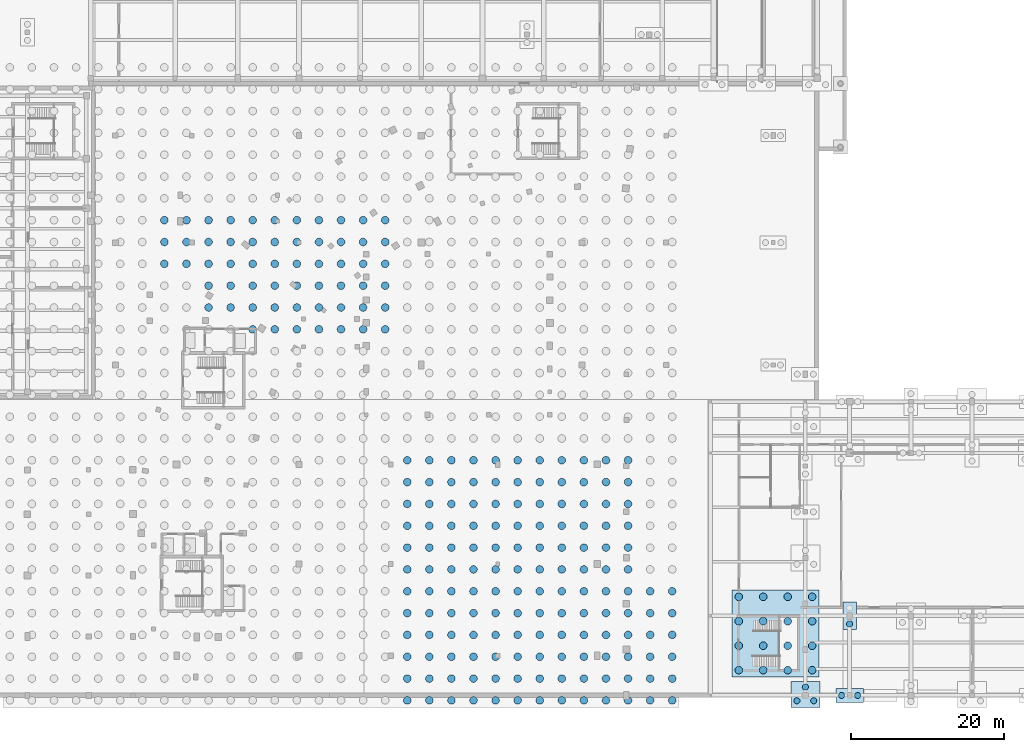
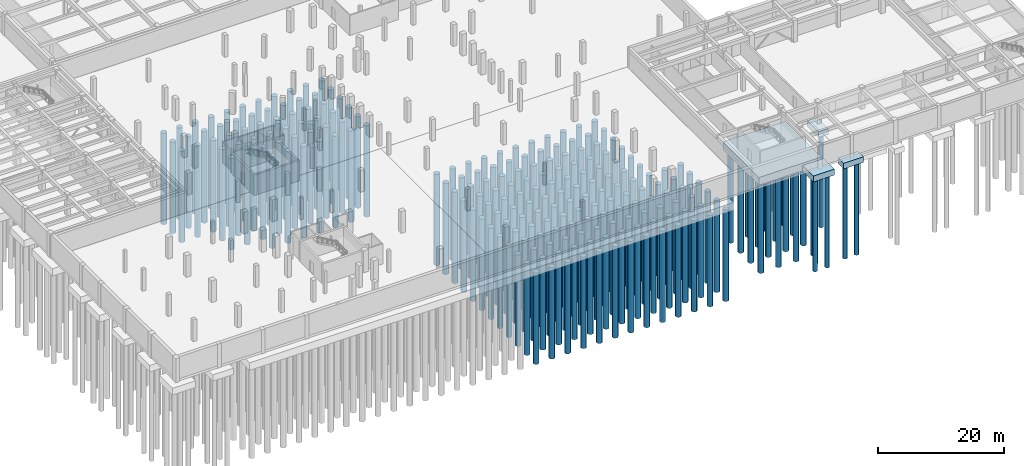
# One storey, part 3 of 36: 224 piles, 4 footings.
"""IFC4 building model written with IfcOpenShell, lengths in metres."""

from ifc_helpers import new_model, si_unit, direction, frame, origin, origin_2d, place, context, subcontext, project, spatial, rectangle, circle, extrude, material, material_profile, profile_set, type_object, element, save


model = new_model("IFC4")

# Units and contexts
model_context = context("Model", 3, precision=1e-05, world=origin(), true_north=direction((0.0, 1.0)))
body_context = subcontext(model_context, "Body", "Model", "MODEL_VIEW")
ifc_project = project(units=[si_unit("LENGTHUNIT", "METRE"), si_unit("AREAUNIT", "SQUARE_METRE"), si_unit("VOLUMEUNIT", "CUBIC_METRE"), si_unit("PLANEANGLEUNIT", "RADIAN"), si_unit("MASSUNIT", "GRAM", prefix="KILO"), si_unit("THERMODYNAMICTEMPERATUREUNIT", "KELVIN"), si_unit("POWERUNIT", "WATT")], contexts=[model_context])

# Site, building, storey
site_placement = place(None, origin())
site = spatial("IfcSite", under=ifc_project, at=site_placement, CompositionType="ELEMENT")
building_placement = place(site_placement, origin())
building = spatial("IfcBuilding", under=site, at=building_placement, Name="Solvatero Civic Police Headquarters", CompositionType="ELEMENT")
storey_placement = place(building_placement, frame((0.0, 0.0, -8.39990234375)))
storey = spatial("IfcBuildingStorey", under=building, at=storey_placement, Name="B02", CompositionType="ELEMENT", Elevation=-8.39990234375)

# Footings
ifc_material_1 = material(Name="Concrete C35/45", Category="concrete")
footing_type_1 = type_object("IfcFootingType", Name="PC-2P-180x360x110", PredefinedType="PILE_CAP", material=ifc_material_1)
footing_1_placement = place(storey_placement, frame((128.0, 15.199951171875, -1.5400390625), z_axis=(0.0, 0.0, 1.0), x_axis=(1.0, 0.0, 0.0)))
element("IfcFooting", 1, at=footing_1_placement, inside=storey, type_object=footing_type_1, Name="Pile Cap FTG-R2-V3-X1Y2", PredefinedType="PILE_CAP", context=body_context, shape_type="SweptSolid", body=[
    extrude(rectangle(XDim=1.800048828125, YDim=3.60009765625, at=origin_2d()), origin(), (0.0, 0.0, 1.0), 1.10009765625),
])
footing_type_2 = type_object("IfcFootingType", Name="PC-2P-360x180x110", PredefinedType="PILE_CAP", material=ifc_material_1)
footing_2_placement = place(storey_placement, frame((128.0, 4.800048828125, -1.5400390625), z_axis=(0.0, 0.0, 1.0), x_axis=(1.0, 0.0, 0.0)))
element("IfcFooting", 2, at=footing_2_placement, inside=storey, type_object=footing_type_2, Name="Pile Cap FTG-R2-V3-X1Y1", PredefinedType="PILE_CAP", context=body_context, shape_type="SweptSolid", body=[
    extrude(rectangle(XDim=3.60009765625, YDim=1.800048828125, at=origin_2d()), origin(), (0.0, 0.0, 1.0), 1.10009765625),
])
footing_type_3 = type_object("IfcFootingType", Name="PC-3P-380x340x115", PredefinedType="PILE_CAP", material=ifc_material_1)
footing_3_placement = place(storey_placement, frame((122.199951171875, 4.949951171875, -1.590087890625), z_axis=(0.0, 0.0, 1.0), x_axis=(1.0, 0.0, 0.0)))
element("IfcFooting", 3, at=footing_3_placement, inside=storey, type_object=footing_type_3, Name="Pile Cap FTG-R2-V1-E-F1", PredefinedType="PILE_CAP", context=body_context, shape_type="SweptSolid", body=[
    extrude(rectangle(XDim=3.800048828125, YDim=3.39990234375, at=origin_2d()), origin(), (0.0, 0.0, 1.0), 1.14990234375),
])
footing_type_4 = type_object("IfcFootingType", Name="PC-COMB-02", PredefinedType="PILE_CAP", material=ifc_material_1)
footing_4_placement = place(storey_placement, frame((118.300048828125, 12.89990234375, -1.91015625), z_axis=(0.0, 0.0, 1.0), x_axis=(1.0, 0.0, 0.0)))
element("IfcFooting", 4, at=footing_4_placement, inside=storey, type_object=footing_type_4, Name="Combined Pile Cap FTG-R2-CMB-V1-E-F2", PredefinedType="PILE_CAP", context=body_context, shape_type="SweptSolid", body=[
    extrude(rectangle(XDim=11.39990234375, YDim=11.39990234375, at=origin_2d()), origin(), (0.0, 0.0, 1.0), 1.469970703125),
])

# Piles
ifc_material_2 = material(Name="Concrete C32/40", Category="concrete")
ifc_material_profile_1 = material_profile(ifc_material_2, circle(Radius=0.5, at=origin_2d()), Name="CFA PILE D1000")
ifc_profile_set_1 = profile_set([ifc_material_profile_1], Name="Concrete C32/40")
pile_type_1 = type_object("IfcPileType", Name="PL-CFA-1000", PredefinedType="BORED", material=ifc_profile_set_1)
for number, where, z_axis, x_axis, name in (
    (5, (38.40673828125, 61.22802734375, -1.7900390625), (0.0, 0.0, -1.0), (1.0, 0.0, 0.0), "Bored Pile ARC-S00-IN-231"),
    (6, (38.40673828125, 64.081787109375, -1.7900390625), (0.0, 0.0, -1.0), (1.0, 0.0, 0.0), "Bored Pile ARC-S00-IN-232"),
    (7, (38.40673828125, 66.935546875, -1.7900390625), (0.0, 0.0, -1.0), (1.0, 0.0, 0.0), "Bored Pile ARC-S00-IN-233"),
    (8, (41.293212890625, 61.22802734375, -1.7900390625), (0.0, 0.0, -1.0), (1.0, 0.0, 0.0), "Bored Pile ARC-S00-IN-261"),
    (9, (41.293212890625, 64.081787109375, -1.7900390625), (0.0, 0.0, -1.0), (1.0, 0.0, 0.0), "Bored Pile ARC-S00-IN-262"),
    (10, (41.293212890625, 66.935546875, -1.7900390625), (0.0, 0.0, -1.0), (1.0, 0.0, 0.0), "Bored Pile ARC-S00-IN-263"),
    (11, (44.179931640625, 55.5205078125, -1.7900390625), (0.0, 0.0, -1.0), (1.0, 0.0, 0.0), "Bored Pile ARC-S00-IN-289"),
    (12, (44.179931640625, 58.374267578125, -1.7900390625), (0.0, 0.0, -1.0), (1.0, 0.0, 0.0), "Bored Pile ARC-S00-IN-290"),
    (13, (44.179931640625, 61.22802734375, -1.7900390625), (0.0, 0.0, -1.0), (1.0, 0.0, 0.0), "Bored Pile ARC-S00-IN-291"),
    (14, (44.179931640625, 64.081787109375, -1.7900390625), (0.0, 0.0, -1.0), (1.0, 0.0, 0.0), "Bored Pile ARC-S00-IN-292"),
    (15, (44.179931640625, 66.935546875, -1.7900390625), (0.0, 0.0, -1.0), (1.0, 0.0, 0.0), "Bored Pile ARC-S00-IN-293"),
    (16, (47.066650390625, 55.5205078125, -1.7900390625), (0.0, 0.0, -1.0), (1.0, 0.0, 0.0), "Bored Pile ARC-S00-IN-319"),
    (17, (47.066650390625, 58.374267578125, -1.7900390625), (0.0, 0.0, -1.0), (1.0, 0.0, 0.0), "Bored Pile ARC-S00-IN-320"),
    (18, (47.066650390625, 61.22802734375, -1.7900390625), (0.0, 0.0, -1.0), (1.0, 0.0, 0.0), "Bored Pile ARC-S00-IN-321"),
    (19, (47.066650390625, 64.081787109375, -1.7900390625), (0.0, 0.0, -1.0), (1.0, 0.0, 0.0), "Bored Pile ARC-S00-IN-322"),
    (20, (47.066650390625, 66.935546875, -1.7900390625), (0.0, 0.0, -1.0), (1.0, 0.0, 0.0), "Bored Pile ARC-S00-IN-323"),
    (21, (49.953369140625, 52.666748046875, -1.7900390625), (0.0, 0.0, -1.0), (1.0, 0.0, 0.0), "Bored Pile ARC-S00-IN-348"),
    (22, (49.953369140625, 55.5205078125, -1.7900390625), (0.0, 0.0, -1.0), (1.0, 0.0, 0.0), "Bored Pile ARC-S00-IN-349"),
    (23, (49.953369140625, 58.374267578125, -1.7900390625), (0.0, 0.0, -1.0), (1.0, 0.0, 0.0), "Bored Pile ARC-S00-IN-350"),
    (24, (49.953369140625, 61.22802734375, -1.7900390625), (0.0, 0.0, -1.0), (1.0, 0.0, 0.0), "Bored Pile ARC-S00-IN-351"),
    (25, (49.953369140625, 64.081787109375, -1.7900390625), (0.0, 0.0, -1.0), (1.0, 0.0, 0.0), "Bored Pile ARC-S00-IN-352"),
    (26, (49.953369140625, 66.935546875, -1.7900390625), (0.0, 0.0, -1.0), (1.0, 0.0, 0.0), "Bored Pile ARC-S00-IN-353"),
    (27, (52.840087890625, 52.666748046875, -1.7900390625), (0.0, 0.0, -1.0), (1.0, 0.0, 0.0), "Bored Pile ARC-S00-IN-378"),
    (28, (52.840087890625, 55.5205078125, -1.7900390625), (0.0, 0.0, -1.0), (1.0, 0.0, 0.0), "Bored Pile ARC-S00-IN-379"),
    (29, (52.840087890625, 58.374267578125, -1.7900390625), (0.0, 0.0, -1.0), (1.0, 0.0, 0.0), "Bored Pile ARC-S00-IN-380"),
    (30, (52.840087890625, 61.22802734375, -1.7900390625), (0.0, 0.0, -1.0), (1.0, 0.0, 0.0), "Bored Pile ARC-S00-IN-381"),
    (31, (52.840087890625, 64.081787109375, -1.7900390625), (0.0, 0.0, -1.0), (1.0, 0.0, 0.0), "Bored Pile ARC-S00-IN-382"),
    (32, (52.840087890625, 66.935546875, -1.7900390625), (0.0, 0.0, -1.0), (1.0, 0.0, 0.0), "Bored Pile ARC-S00-IN-383"),
    (33, (55.726806640625, 52.666748046875, -1.7900390625), (0.0, 0.0, -1.0), (1.0, 0.0, 0.0), "Bored Pile ARC-S00-IN-408"),
    (34, (55.726806640625, 55.5205078125, -1.7900390625), (0.0, 0.0, -1.0), (1.0, 0.0, 0.0), "Bored Pile ARC-S00-IN-409"),
    (35, (55.726806640625, 58.374267578125, -1.7900390625), (0.0, 0.0, -1.0), (1.0, 0.0, 0.0), "Bored Pile ARC-S00-IN-410"),
    (36, (55.726806640625, 61.22802734375, -1.7900390625), (0.0, 0.0, -1.0), (1.0, 0.0, 0.0), "Bored Pile ARC-S00-IN-411"),
    (37, (55.726806640625, 64.081787109375, -1.7900390625), (0.0, 0.0, -1.0), (1.0, 0.0, 0.0), "Bored Pile ARC-S00-IN-412"),
    (38, (55.726806640625, 66.935546875, -1.7900390625), (0.0, 0.0, -1.0), (1.0, 0.0, 0.0), "Bored Pile ARC-S00-IN-413"),
    (39, (58.61328125, 52.666748046875, -1.7900390625), (0.0, 0.0, -1.0), (1.0, 0.0, 0.0), "Bored Pile ARC-S00-IN-438"),
    (40, (58.61328125, 55.5205078125, -1.7900390625), (0.0, 0.0, -1.0), (1.0, 0.0, 0.0), "Bored Pile ARC-S00-IN-439"),
    (41, (58.61328125, 58.374267578125, -1.7900390625), (0.0, 0.0, -1.0), (1.0, 0.0, 0.0), "Bored Pile ARC-S00-IN-440"),
    (42, (58.61328125, 61.22802734375, -1.7900390625), (0.0, 0.0, -1.0), (1.0, 0.0, 0.0), "Bored Pile ARC-S00-IN-441"),
    (43, (58.61328125, 64.081787109375, -1.7900390625), (0.0, 0.0, -1.0), (1.0, 0.0, 0.0), "Bored Pile ARC-S00-IN-442"),
    (44, (58.61328125, 66.935546875, -1.7900390625), (0.0, 0.0, -1.0), (1.0, 0.0, 0.0), "Bored Pile ARC-S00-IN-443"),
    (45, (61.5, 52.666748046875, -1.7900390625), (0.0, 0.0, -1.0), (1.0, 0.0, 0.0), "Bored Pile ARC-S00-IN-468"),
    (46, (61.5, 55.5205078125, -1.7900390625), (0.0, 0.0, -1.0), (1.0, 0.0, 0.0), "Bored Pile ARC-S00-IN-469"),
    (47, (61.5, 58.374267578125, -1.7900390625), (0.0, 0.0, -1.0), (1.0, 0.0, 0.0), "Bored Pile ARC-S00-IN-470"),
    (48, (61.5, 61.22802734375, -1.7900390625), (0.0, 0.0, -1.0), (1.0, 0.0, 0.0), "Bored Pile ARC-S00-IN-471"),
    (49, (61.5, 64.081787109375, -1.7900390625), (0.0, 0.0, -1.0), (1.0, 0.0, 0.0), "Bored Pile ARC-S00-IN-472"),
    (50, (61.5, 66.935546875, -1.7900390625), (0.0, 0.0, -1.0), (1.0, 0.0, 0.0), "Bored Pile ARC-S00-IN-473"),
    (51, (64.38671875, 52.666748046875, -1.7900390625), (0.0, 0.0, -1.0), (1.0, 0.0, 0.0), "Bored Pile ARC-S00-IN-498"),
    (52, (64.38671875, 55.5205078125, -1.7900390625), (0.0, 0.0, -1.0), (1.0, 0.0, 0.0), "Bored Pile ARC-S00-IN-499"),
    (53, (64.38671875, 58.374267578125, -1.7900390625), (0.0, 0.0, -1.0), (1.0, 0.0, 0.0), "Bored Pile ARC-S00-IN-500"),
    (54, (64.38671875, 61.22802734375, -1.7900390625), (0.0, 0.0, -1.0), (1.0, 0.0, 0.0), "Bored Pile ARC-S00-IN-501"),
    (55, (64.38671875, 64.081787109375, -1.7900390625), (0.0, 0.0, -1.0), (1.0, 0.0, 0.0), "Bored Pile ARC-S00-IN-502"),
    (56, (64.38671875, 66.935546875, -1.7900390625), (0.0, 0.0, -1.0), (1.0, 0.0, 0.0), "Bored Pile ARC-S00-IN-503"),
    (57, (67.273193359375, 52.666748046875, -1.7900390625), (0.0, 0.0, -1.0), (1.0, 0.0, 0.0), "Bored Pile ARC-S00-IN-528"),
    (58, (67.273193359375, 55.5205078125, -1.7900390625), (0.0, 0.0, -1.0), (1.0, 0.0, 0.0), "Bored Pile ARC-S00-IN-529"),
    (59, (67.273193359375, 58.374267578125, -1.7900390625), (0.0, 0.0, -1.0), (1.0, 0.0, 0.0), "Bored Pile ARC-S00-IN-530"),
    (60, (67.273193359375, 61.22802734375, -1.7900390625), (0.0, 0.0, -1.0), (1.0, 0.0, 0.0), "Bored Pile ARC-S00-IN-531"),
    (61, (67.273193359375, 64.081787109375, -1.7900390625), (0.0, 0.0, -1.0), (1.0, 0.0, 0.0), "Bored Pile ARC-S00-IN-532"),
    (62, (67.273193359375, 66.935546875, -1.7900390625), (0.0, 0.0, -1.0), (1.0, 0.0, 0.0), "Bored Pile ARC-S00-IN-533"),
    (63, (70.159912109375, 4.152099609375, -1.7900390625), (0.0, 0.0, -1.0), (1.0, 0.0, 0.0), "Bored Pile ARC-S00-IN-541"),
    (64, (70.159912109375, 7.006103515625, -1.7900390625), (0.0, 0.0, -1.0), (1.0, 0.0, 0.0), "Bored Pile ARC-S00-IN-542"),
    (65, (70.159912109375, 9.85986328125, -1.7900390625), (0.0, 0.0, -1.0), (1.0, 0.0, 0.0), "Bored Pile ARC-S00-IN-543"),
    (66, (70.159912109375, 12.713623046875, -1.7900390625), (0.0, 0.0, -1.0), (1.0, 0.0, 0.0), "Bored Pile ARC-S00-IN-544"),
    (67, (70.159912109375, 15.5673828125, -1.7900390625), (0.0, 0.0, -1.0), (1.0, 0.0, 0.0), "Bored Pile ARC-S00-IN-545"),
    (68, (70.159912109375, 18.421142578125, -1.7900390625), (0.0, 0.0, -1.0), (1.0, 0.0, 0.0), "Bored Pile ARC-S00-IN-546"),
    (69, (70.159912109375, 21.27490234375, -1.7900390625), (0.0, 0.0, -1.0), (1.0, 0.0, 0.0), "Bored Pile ARC-S00-IN-547"),
    (70, (70.159912109375, 24.12890625, -1.7900390625), (0.0, 0.0, -1.0), (1.0, 0.0, 0.0), "Bored Pile ARC-S00-IN-548"),
    (71, (70.159912109375, 26.982421875, -1.7900390625), (0.0, 0.0, -1.0), (1.0, 0.0, 0.0), "Bored Pile ARC-S00-IN-549"),
    (72, (70.159912109375, 29.836181640625, -1.7900390625), (0.0, 0.0, -1.0), (1.0, 0.0, 0.0), "Bored Pile ARC-S00-IN-550"),
    (73, (70.159912109375, 32.690185546875, -1.7900390625), (0.0, 0.0, -1.0), (1.0, 0.0, 0.0), "Bored Pile ARC-S00-IN-551"),
    (74, (70.159912109375, 35.5439453125, -1.7900390625), (0.0, 0.0, -1.0), (1.0, 0.0, 0.0), "Bored Pile ARC-S00-IN-552"),
    (75, (73.046630859375, 4.152099609375, -1.7900390625), (0.0, 0.0, -1.0), (1.0, 0.0, 0.0), "Bored Pile ARC-S00-IN-571"),
    (76, (73.046630859375, 7.006103515625, -1.7900390625), (0.0, 0.0, -1.0), (1.0, 0.0, 0.0), "Bored Pile ARC-S00-IN-572"),
    (77, (73.046630859375, 9.85986328125, -1.7900390625), (0.0, 0.0, -1.0), (1.0, 0.0, 0.0), "Bored Pile ARC-S00-IN-573"),
    (78, (73.046630859375, 12.713623046875, -1.7900390625), (0.0, 0.0, -1.0), (1.0, 0.0, 0.0), "Bored Pile ARC-S00-IN-574"),
    (79, (73.046630859375, 15.5673828125, -1.7900390625), (0.0, 0.0, -1.0), (1.0, 0.0, 0.0), "Bored Pile ARC-S00-IN-575"),
    (80, (73.046630859375, 18.421142578125, -1.7900390625), (0.0, 0.0, -1.0), (1.0, 0.0, 0.0), "Bored Pile ARC-S00-IN-576"),
    (81, (73.046630859375, 21.27490234375, -1.7900390625), (0.0, 0.0, -1.0), (1.0, 0.0, 0.0), "Bored Pile ARC-S00-IN-577"),
    (82, (73.046630859375, 24.12890625, -1.7900390625), (0.0, 0.0, -1.0), (1.0, 0.0, 0.0), "Bored Pile ARC-S00-IN-578"),
    (83, (73.046630859375, 26.982421875, -1.7900390625), (0.0, 0.0, -1.0), (1.0, 0.0, 0.0), "Bored Pile ARC-S00-IN-579"),
    (84, (73.046630859375, 29.836181640625, -1.7900390625), (0.0, 0.0, -1.0), (1.0, 0.0, 0.0), "Bored Pile ARC-S00-IN-580"),
    (85, (73.046630859375, 32.690185546875, -1.7900390625), (0.0, 0.0, -1.0), (1.0, 0.0, 0.0), "Bored Pile ARC-S00-IN-581"),
    (86, (73.046630859375, 35.5439453125, -1.7900390625), (0.0, 0.0, -1.0), (1.0, 0.0, 0.0), "Bored Pile ARC-S00-IN-582"),
    (87, (75.933349609375, 4.152099609375, -1.7900390625), (0.0, 0.0, -1.0), (1.0, 0.0, 0.0), "Bored Pile ARC-S00-IN-601"),
    (88, (75.933349609375, 7.006103515625, -1.7900390625), (0.0, 0.0, -1.0), (1.0, 0.0, 0.0), "Bored Pile ARC-S00-IN-602"),
    (89, (75.933349609375, 9.85986328125, -1.7900390625), (0.0, 0.0, -1.0), (1.0, 0.0, 0.0), "Bored Pile ARC-S00-IN-603"),
    (90, (75.933349609375, 12.713623046875, -1.7900390625), (0.0, 0.0, -1.0), (1.0, 0.0, 0.0), "Bored Pile ARC-S00-IN-604"),
    (91, (75.933349609375, 15.5673828125, -1.7900390625), (0.0, 0.0, -1.0), (1.0, 0.0, 0.0), "Bored Pile ARC-S00-IN-605"),
    (92, (75.933349609375, 18.421142578125, -1.7900390625), (0.0, 0.0, -1.0), (1.0, 0.0, 0.0), "Bored Pile ARC-S00-IN-606"),
    (93, (75.933349609375, 21.27490234375, -1.7900390625), (0.0, 0.0, -1.0), (1.0, 0.0, 0.0), "Bored Pile ARC-S00-IN-607"),
    (94, (75.933349609375, 24.12890625, -1.7900390625), (0.0, 0.0, -1.0), (1.0, 0.0, 0.0), "Bored Pile ARC-S00-IN-608"),
    (95, (75.933349609375, 26.982421875, -1.7900390625), (0.0, 0.0, -1.0), (1.0, 0.0, 0.0), "Bored Pile ARC-S00-IN-609"),
    (96, (75.933349609375, 29.836181640625, -1.7900390625), (0.0, 0.0, -1.0), (1.0, 0.0, 0.0), "Bored Pile ARC-S00-IN-610"),
    (97, (75.933349609375, 32.690185546875, -1.7900390625), (0.0, 0.0, -1.0), (1.0, 0.0, 0.0), "Bored Pile ARC-S00-IN-611"),
    (98, (75.933349609375, 35.5439453125, -1.7900390625), (0.0, 0.0, -1.0), (1.0, 0.0, 0.0), "Bored Pile ARC-S00-IN-612"),
    (99, (78.820068359375, 4.152099609375, -1.7900390625), (0.0, 0.0, -1.0), (1.0, 0.0, 0.0), "Bored Pile ARC-S00-IN-631"),
    (100, (78.820068359375, 7.006103515625, -1.7900390625), (0.0, 0.0, -1.0), (1.0, 0.0, 0.0), "Bored Pile ARC-S00-IN-632"),
    (101, (78.820068359375, 9.85986328125, -1.7900390625), (0.0, 0.0, -1.0), (1.0, 0.0, 0.0), "Bored Pile ARC-S00-IN-633"),
    (102, (78.820068359375, 12.713623046875, -1.7900390625), (0.0, 0.0, -1.0), (1.0, 0.0, 0.0), "Bored Pile ARC-S00-IN-634"),
    (103, (78.820068359375, 15.5673828125, -1.7900390625), (0.0, 0.0, -1.0), (1.0, 0.0, 0.0), "Bored Pile ARC-S00-IN-635"),
    (104, (78.820068359375, 18.421142578125, -1.7900390625), (0.0, 0.0, -1.0), (1.0, 0.0, 0.0), "Bored Pile ARC-S00-IN-636"),
    (105, (78.820068359375, 21.27490234375, -1.7900390625), (0.0, 0.0, -1.0), (1.0, 0.0, 0.0), "Bored Pile ARC-S00-IN-637"),
    (106, (78.820068359375, 24.12890625, -1.7900390625), (0.0, 0.0, -1.0), (1.0, 0.0, 0.0), "Bored Pile ARC-S00-IN-638"),
    (107, (78.820068359375, 26.982421875, -1.7900390625), (0.0, 0.0, -1.0), (1.0, 0.0, 0.0), "Bored Pile ARC-S00-IN-639"),
    (108, (78.820068359375, 29.836181640625, -1.7900390625), (0.0, 0.0, -1.0), (1.0, 0.0, 0.0), "Bored Pile ARC-S00-IN-640"),
    (109, (78.820068359375, 32.690185546875, -1.7900390625), (0.0, 0.0, -1.0), (1.0, 0.0, 0.0), "Bored Pile ARC-S00-IN-641"),
    (110, (78.820068359375, 35.5439453125, -1.7900390625), (0.0, 0.0, -1.0), (1.0, 0.0, 0.0), "Bored Pile ARC-S00-IN-642"),
    (111, (81.706787109375, 4.152099609375, -1.7900390625), (0.0, 0.0, -1.0), (1.0, 0.0, 0.0), "Bored Pile ARC-S00-IN-661"),
    (112, (81.706787109375, 7.006103515625, -1.7900390625), (0.0, 0.0, -1.0), (1.0, 0.0, 0.0), "Bored Pile ARC-S00-IN-662"),
    (113, (81.706787109375, 9.85986328125, -1.7900390625), (0.0, 0.0, -1.0), (1.0, 0.0, 0.0), "Bored Pile ARC-S00-IN-663"),
    (114, (81.706787109375, 12.713623046875, -1.7900390625), (0.0, 0.0, -1.0), (1.0, 0.0, 0.0), "Bored Pile ARC-S00-IN-664"),
    (115, (81.706787109375, 15.5673828125, -1.7900390625), (0.0, 0.0, -1.0), (1.0, 0.0, 0.0), "Bored Pile ARC-S00-IN-665"),
    (116, (81.706787109375, 18.421142578125, -1.7900390625), (0.0, 0.0, -1.0), (1.0, 0.0, 0.0), "Bored Pile ARC-S00-IN-666"),
    (117, (81.706787109375, 21.27490234375, -1.7900390625), (0.0, 0.0, -1.0), (1.0, 0.0, 0.0), "Bored Pile ARC-S00-IN-667"),
    (118, (81.706787109375, 24.12890625, -1.7900390625), (0.0, 0.0, -1.0), (1.0, 0.0, 0.0), "Bored Pile ARC-S00-IN-668"),
    (119, (81.706787109375, 26.982421875, -1.7900390625), (0.0, 0.0, -1.0), (1.0, 0.0, 0.0), "Bored Pile ARC-S00-IN-669"),
    (120, (81.706787109375, 29.836181640625, -1.7900390625), (0.0, 0.0, -1.0), (1.0, 0.0, 0.0), "Bored Pile ARC-S00-IN-670"),
    (121, (81.706787109375, 32.690185546875, -1.7900390625), (0.0, 0.0, -1.0), (1.0, 0.0, 0.0), "Bored Pile ARC-S00-IN-671"),
    (122, (81.706787109375, 35.5439453125, -1.7900390625), (0.0, 0.0, -1.0), (1.0, 0.0, 0.0), "Bored Pile ARC-S00-IN-672"),
    (123, (84.59326171875, 4.152099609375, -1.7900390625), (0.0, 0.0, -1.0), (1.0, 0.0, 0.0), "Bored Pile ARC-S00-IN-691"),
    (124, (84.59326171875, 7.006103515625, -1.7900390625), (0.0, 0.0, -1.0), (1.0, 0.0, 0.0), "Bored Pile ARC-S00-IN-692"),
    (125, (84.59326171875, 9.85986328125, -1.7900390625), (0.0, 0.0, -1.0), (1.0, 0.0, 0.0), "Bored Pile ARC-S00-IN-693"),
    (126, (84.59326171875, 12.713623046875, -1.7900390625), (0.0, 0.0, -1.0), (1.0, 0.0, 0.0), "Bored Pile ARC-S00-IN-694"),
    (127, (84.59326171875, 15.5673828125, -1.7900390625), (0.0, 0.0, -1.0), (1.0, 0.0, 0.0), "Bored Pile ARC-S00-IN-695"),
    (128, (84.59326171875, 18.421142578125, -1.7900390625), (0.0, 0.0, -1.0), (1.0, 0.0, 0.0), "Bored Pile ARC-S00-IN-696"),
    (129, (84.59326171875, 21.27490234375, -1.7900390625), (0.0, 0.0, -1.0), (1.0, 0.0, 0.0), "Bored Pile ARC-S00-IN-697"),
    (130, (84.59326171875, 24.12890625, -1.7900390625), (0.0, 0.0, -1.0), (1.0, 0.0, 0.0), "Bored Pile ARC-S00-IN-698"),
    (131, (84.59326171875, 26.982421875, -1.7900390625), (0.0, 0.0, -1.0), (1.0, 0.0, 0.0), "Bored Pile ARC-S00-IN-699"),
    (132, (84.59326171875, 29.836181640625, -1.7900390625), (0.0, 0.0, -1.0), (1.0, 0.0, 0.0), "Bored Pile ARC-S00-IN-700"),
    (133, (84.59326171875, 32.690185546875, -1.7900390625), (0.0, 0.0, -1.0), (1.0, 0.0, 0.0), "Bored Pile ARC-S00-IN-701"),
    (134, (84.59326171875, 35.5439453125, -1.7900390625), (0.0, 0.0, -1.0), (1.0, 0.0, 0.0), "Bored Pile ARC-S00-IN-702"),
    (135, (87.47998046875, 4.152099609375, -1.7900390625), (0.0, 0.0, -1.0), (1.0, 0.0, 0.0), "Bored Pile ARC-S00-IN-721"),
    (136, (87.47998046875, 7.006103515625, -1.7900390625), (0.0, 0.0, -1.0), (1.0, 0.0, 0.0), "Bored Pile ARC-S00-IN-722"),
    (137, (87.47998046875, 9.85986328125, -1.7900390625), (0.0, 0.0, -1.0), (1.0, 0.0, 0.0), "Bored Pile ARC-S00-IN-723"),
    (138, (87.47998046875, 12.713623046875, -1.7900390625), (0.0, 0.0, -1.0), (1.0, 0.0, 0.0), "Bored Pile ARC-S00-IN-724"),
    (139, (87.47998046875, 15.5673828125, -1.7900390625), (0.0, 0.0, -1.0), (1.0, 0.0, 0.0), "Bored Pile ARC-S00-IN-725"),
    (140, (87.47998046875, 18.421142578125, -1.7900390625), (0.0, 0.0, -1.0), (1.0, 0.0, 0.0), "Bored Pile ARC-S00-IN-726"),
    (141, (87.47998046875, 21.27490234375, -1.7900390625), (0.0, 0.0, -1.0), (1.0, 0.0, 0.0), "Bored Pile ARC-S00-IN-727"),
    (142, (87.47998046875, 24.12890625, -1.7900390625), (0.0, 0.0, -1.0), (1.0, 0.0, 0.0), "Bored Pile ARC-S00-IN-728"),
    (143, (87.47998046875, 26.982421875, -1.7900390625), (0.0, 0.0, -1.0), (1.0, 0.0, 0.0), "Bored Pile ARC-S00-IN-729"),
    (144, (87.47998046875, 29.836181640625, -1.7900390625), (0.0, 0.0, -1.0), (1.0, 0.0, 0.0), "Bored Pile ARC-S00-IN-730"),
    (145, (87.47998046875, 32.690185546875, -1.7900390625), (0.0, 0.0, -1.0), (1.0, 0.0, 0.0), "Bored Pile ARC-S00-IN-731"),
    (146, (87.47998046875, 35.5439453125, -1.7900390625), (0.0, 0.0, -1.0), (1.0, 0.0, 0.0), "Bored Pile ARC-S00-IN-732"),
    (147, (90.36669921875, 4.152099609375, -1.7900390625), (0.0, 0.0, -1.0), (1.0, 0.0, 0.0), "Bored Pile ARC-S00-IN-751"),
    (148, (90.36669921875, 7.006103515625, -1.7900390625), (0.0, 0.0, -1.0), (1.0, 0.0, 0.0), "Bored Pile ARC-S00-IN-752"),
    (149, (90.36669921875, 9.85986328125, -1.7900390625), (0.0, 0.0, -1.0), (1.0, 0.0, 0.0), "Bored Pile ARC-S00-IN-753"),
    (150, (90.36669921875, 12.713623046875, -1.7900390625), (0.0, 0.0, -1.0), (1.0, 0.0, 0.0), "Bored Pile ARC-S00-IN-754"),
    (151, (90.36669921875, 15.5673828125, -1.7900390625), (0.0, 0.0, -1.0), (1.0, 0.0, 0.0), "Bored Pile ARC-S00-IN-755"),
    (152, (90.36669921875, 18.421142578125, -1.7900390625), (0.0, 0.0, -1.0), (1.0, 0.0, 0.0), "Bored Pile ARC-S00-IN-756"),
    (153, (90.36669921875, 21.27490234375, -1.7900390625), (0.0, 0.0, -1.0), (1.0, 0.0, 0.0), "Bored Pile ARC-S00-IN-757"),
    (154, (90.36669921875, 24.12890625, -1.7900390625), (0.0, 0.0, -1.0), (1.0, 0.0, 0.0), "Bored Pile ARC-S00-IN-758"),
    (155, (90.36669921875, 26.982421875, -1.7900390625), (0.0, 0.0, -1.0), (1.0, 0.0, 0.0), "Bored Pile ARC-S00-IN-759"),
    (156, (90.36669921875, 29.836181640625, -1.7900390625), (0.0, 0.0, -1.0), (1.0, 0.0, 0.0), "Bored Pile ARC-S00-IN-760"),
    (157, (90.36669921875, 32.690185546875, -1.7900390625), (0.0, 0.0, -1.0), (1.0, 0.0, 0.0), "Bored Pile ARC-S00-IN-761"),
    (158, (90.36669921875, 35.5439453125, -1.7900390625), (0.0, 0.0, -1.0), (1.0, 0.0, 0.0), "Bored Pile ARC-S00-IN-762"),
    (159, (93.25341796875, 4.152099609375, -1.7900390625), (0.0, 0.0, -1.0), (1.0, 0.0, 0.0), "Bored Pile ARC-S00-IN-781"),
    (160, (93.25341796875, 7.006103515625, -1.7900390625), (0.0, 0.0, -1.0), (1.0, 0.0, 0.0), "Bored Pile ARC-S00-IN-782"),
    (161, (93.25341796875, 9.85986328125, -1.7900390625), (0.0, 0.0, -1.0), (1.0, 0.0, 0.0), "Bored Pile ARC-S00-IN-783"),
    (162, (93.25341796875, 12.713623046875, -1.7900390625), (0.0, 0.0, -1.0), (1.0, 0.0, 0.0), "Bored Pile ARC-S00-IN-784"),
    (163, (93.25341796875, 15.5673828125, -1.7900390625), (0.0, 0.0, -1.0), (1.0, 0.0, 0.0), "Bored Pile ARC-S00-IN-785"),
    (164, (93.25341796875, 18.421142578125, -1.7900390625), (0.0, 0.0, -1.0), (1.0, 0.0, 0.0), "Bored Pile ARC-S00-IN-786"),
    (165, (93.25341796875, 21.27490234375, -1.7900390625), (0.0, 0.0, -1.0), (1.0, 0.0, 0.0), "Bored Pile ARC-S00-IN-787"),
    (166, (93.25341796875, 24.12890625, -1.7900390625), (0.0, 0.0, -1.0), (1.0, 0.0, 0.0), "Bored Pile ARC-S00-IN-788"),
    (167, (93.25341796875, 26.982421875, -1.7900390625), (0.0, 0.0, -1.0), (1.0, 0.0, 0.0), "Bored Pile ARC-S00-IN-789"),
    (168, (93.25341796875, 29.836181640625, -1.7900390625), (0.0, 0.0, -1.0), (1.0, 0.0, 0.0), "Bored Pile ARC-S00-IN-790"),
    (169, (93.25341796875, 32.690185546875, -1.7900390625), (0.0, 0.0, -1.0), (1.0, 0.0, 0.0), "Bored Pile ARC-S00-IN-791"),
    (170, (93.25341796875, 35.5439453125, -1.7900390625), (0.0, 0.0, -1.0), (1.0, 0.0, 0.0), "Bored Pile ARC-S00-IN-792"),
    (171, (96.139892578125, 4.152099609375, -1.7900390625), (0.0, 0.0, -1.0), (1.0, 0.0, 0.0), "Bored Pile ARC-S00-IN-811"),
    (172, (96.139892578125, 7.006103515625, -1.7900390625), (0.0, 0.0, -1.0), (1.0, 0.0, 0.0), "Bored Pile ARC-S00-IN-812"),
    (173, (96.139892578125, 9.85986328125, -1.7900390625), (0.0, 0.0, -1.0), (1.0, 0.0, 0.0), "Bored Pile ARC-S00-IN-813"),
    (174, (96.139892578125, 12.713623046875, -1.7900390625), (0.0, 0.0, -1.0), (1.0, 0.0, 0.0), "Bored Pile ARC-S00-IN-814"),
    (175, (96.139892578125, 15.5673828125, -1.7900390625), (0.0, 0.0, -1.0), (1.0, 0.0, 0.0), "Bored Pile ARC-S00-IN-815"),
    (176, (96.139892578125, 18.421142578125, -1.7900390625), (0.0, 0.0, -1.0), (1.0, 0.0, 0.0), "Bored Pile ARC-S00-IN-816"),
    (177, (96.139892578125, 21.27490234375, -1.7900390625), (0.0, 0.0, -1.0), (1.0, 0.0, 0.0), "Bored Pile ARC-S00-IN-817"),
    (178, (96.139892578125, 24.12890625, -1.7900390625), (0.0, 0.0, -1.0), (1.0, 0.0, 0.0), "Bored Pile ARC-S00-IN-818"),
    (179, (96.139892578125, 26.982421875, -1.7900390625), (0.0, 0.0, -1.0), (1.0, 0.0, 0.0), "Bored Pile ARC-S00-IN-819"),
    (180, (96.139892578125, 29.836181640625, -1.7900390625), (0.0, 0.0, -1.0), (1.0, 0.0, 0.0), "Bored Pile ARC-S00-IN-820"),
    (181, (96.139892578125, 32.690185546875, -1.7900390625), (0.0, 0.0, -1.0), (1.0, 0.0, 0.0), "Bored Pile ARC-S00-IN-821"),
    (182, (96.139892578125, 35.5439453125, -1.7900390625), (0.0, 0.0, -1.0), (1.0, 0.0, 0.0), "Bored Pile ARC-S00-IN-822"),
    (183, (99.026611328125, 4.152099609375, -1.7900390625), (0.0, 0.0, -1.0), (1.0, 0.0, 0.0), "Bored Pile ARC-S00-IN-841"),
    (184, (99.026611328125, 7.006103515625, -1.7900390625), (0.0, 0.0, -1.0), (1.0, 0.0, 0.0), "Bored Pile ARC-S00-IN-842"),
    (185, (99.026611328125, 9.85986328125, -1.7900390625), (0.0, 0.0, -1.0), (1.0, 0.0, 0.0), "Bored Pile ARC-S00-IN-843"),
    (186, (99.026611328125, 12.713623046875, -1.7900390625), (0.0, 0.0, -1.0), (1.0, 0.0, 0.0), "Bored Pile ARC-S00-IN-844"),
    (187, (99.026611328125, 15.5673828125, -1.7900390625), (0.0, 0.0, -1.0), (1.0, 0.0, 0.0), "Bored Pile ARC-S00-IN-845"),
    (188, (99.026611328125, 18.421142578125, -1.7900390625), (0.0, 0.0, -1.0), (1.0, 0.0, 0.0), "Bored Pile ARC-S00-IN-846"),
    (189, (99.026611328125, 21.27490234375, -1.7900390625), (0.0, 0.0, -1.0), (1.0, 0.0, 0.0), "Bored Pile ARC-S00-IN-847"),
    (190, (99.026611328125, 24.12890625, -1.7900390625), (0.0, 0.0, -1.0), (1.0, 0.0, 0.0), "Bored Pile ARC-S00-IN-848"),
    (191, (99.026611328125, 26.982421875, -1.7900390625), (0.0, 0.0, -1.0), (1.0, 0.0, 0.0), "Bored Pile ARC-S00-IN-849"),
    (192, (99.026611328125, 29.836181640625, -1.7900390625), (0.0, 0.0, -1.0), (1.0, 0.0, 0.0), "Bored Pile ARC-S00-IN-850"),
    (193, (99.026611328125, 32.690185546875, -1.7900390625), (0.0, 0.0, -1.0), (1.0, 0.0, 0.0), "Bored Pile ARC-S00-IN-851"),
    (194, (99.026611328125, 35.5439453125, -1.7900390625), (0.0, 0.0, -1.0), (1.0, 0.0, 0.0), "Bored Pile ARC-S00-IN-852"),
    (195, (101.913330078125, 4.152099609375, -1.7900390625), (0.0, 0.0, -1.0), (1.0, 0.0, 0.0), "Bored Pile ARC-S00-IN-871"),
    (196, (101.913330078125, 7.006103515625, -1.7900390625), (0.0, 0.0, -1.0), (1.0, 0.0, 0.0), "Bored Pile ARC-S00-IN-872"),
    (197, (101.913330078125, 9.85986328125, -1.7900390625), (0.0, 0.0, -1.0), (1.0, 0.0, 0.0), "Bored Pile ARC-S00-IN-873"),
    (198, (101.913330078125, 12.713623046875, -1.7900390625), (0.0, 0.0, -1.0), (1.0, 0.0, 0.0), "Bored Pile ARC-S00-IN-874"),
    (199, (101.913330078125, 15.5673828125, -1.7900390625), (0.0, 0.0, -1.0), (1.0, 0.0, 0.0), "Bored Pile ARC-S00-IN-875"),
    (200, (101.913330078125, 18.421142578125, -1.7900390625), (0.0, 0.0, -1.0), (1.0, 0.0, 0.0), "Bored Pile ARC-S00-IN-876"),
    (201, (104.800048828125, 4.152099609375, -1.7900390625), (0.0, 0.0, -1.0), (1.0, 0.0, 0.0), "Bored Pile ARC-S00-IN-901"),
    (202, (104.800048828125, 7.006103515625, -1.7900390625), (0.0, 0.0, -1.0), (1.0, 0.0, 0.0), "Bored Pile ARC-S00-IN-902"),
    (203, (104.800048828125, 9.85986328125, -1.7900390625), (0.0, 0.0, -1.0), (1.0, 0.0, 0.0), "Bored Pile ARC-S00-IN-903"),
    (204, (104.800048828125, 12.713623046875, -1.7900390625), (0.0, 0.0, -1.0), (1.0, 0.0, 0.0), "Bored Pile ARC-S00-IN-904"),
    (205, (104.800048828125, 15.5673828125, -1.7900390625), (0.0, 0.0, -1.0), (1.0, 0.0, 0.0), "Bored Pile ARC-S00-IN-905"),
    (206, (104.800048828125, 18.421142578125, -1.7900390625), (0.0, 0.0, -1.0), (1.0, 0.0, 0.0), "Bored Pile ARC-S00-IN-906"),
):
    element("IfcPile", number, at=place(storey_placement, frame(where, z_axis=z_axis, x_axis=x_axis)), inside=storey, type_object=pile_type_1, Name=name, PredefinedType="BORED", context=body_context, shape_type="SweptSolid", body=[
        extrude(circle(Radius=0.5, at=origin_2d()), origin(), (0.0, 0.0, 1.0), 17.659912109375),
    ])
for number, where, z_axis, x_axis, name in (
    (207, (113.5, 8.10009765625, -1.81005859375), (0.0, 0.0, -1.0), (1.0, 0.0, 0.0), "Bored Pile V1-E-F2-1"),
    (208, (113.5, 11.300048828125, -1.81005859375), (0.0, 0.0, -1.0), (1.0, 0.0, 0.0), "Bored Pile V1-E-F2-2"),
    (209, (113.5, 14.5, -1.81005859375), (0.0, 0.0, -1.0), (1.0, 0.0, 0.0), "Bored Pile V1-E-F2-3"),
    (210, (113.5, 17.699951171875, -1.81005859375), (0.0, 0.0, -1.0), (1.0, 0.0, 0.0), "Bored Pile V1-E-F2-4"),
    (211, (116.699951171875, 8.10009765625, -1.81005859375), (0.0, 0.0, -1.0), (1.0, 0.0, 0.0), "Bored Pile V1-E-F2-5"),
    (212, (116.699951171875, 11.300048828125, -1.81005859375), (0.0, 0.0, -1.0), (1.0, 0.0, 0.0), "Bored Pile V1-E-F2-6"),
    (213, (116.699951171875, 14.5, -1.81005859375), (0.0, 0.0, -1.0), (1.0, 0.0, 0.0), "Bored Pile V1-E-F2-7"),
    (214, (116.699951171875, 17.699951171875, -1.81005859375), (0.0, 0.0, -1.0), (1.0, 0.0, 0.0), "Bored Pile V1-E-F2-8"),
    (215, (119.89990234375, 8.10009765625, -1.81005859375), (0.0, 0.0, -1.0), (1.0, 0.0, 0.0), "Bored Pile V1-E-F2-9"),
    (216, (119.89990234375, 11.300048828125, -1.81005859375), (0.0, 0.0, -1.0), (1.0, 0.0, 0.0), "Bored Pile V1-E-F2-10"),
    (217, (119.89990234375, 14.5, -1.81005859375), (0.0, 0.0, -1.0), (1.0, 0.0, 0.0), "Bored Pile V1-E-F2-11"),
    (218, (119.89990234375, 17.699951171875, -1.81005859375), (0.0, 0.0, -1.0), (1.0, 0.0, 0.0), "Bored Pile V1-E-F2-12"),
    (219, (123.10009765625, 8.10009765625, -1.81005859375), (0.0, 0.0, -1.0), (1.0, 0.0, 0.0), "Bored Pile V1-E-F2-13"),
    (220, (123.10009765625, 11.300048828125, -1.81005859375), (0.0, 0.0, -1.0), (1.0, 0.0, 0.0), "Bored Pile V1-E-F2-14"),
    (221, (123.10009765625, 14.5, -1.81005859375), (0.0, 0.0, -1.0), (1.0, 0.0, 0.0), "Bored Pile V1-E-F2-15"),
    (222, (123.10009765625, 17.699951171875, -1.81005859375), (0.0, 0.0, -1.0), (1.0, 0.0, 0.0), "Bored Pile V1-E-F2-16"),
):
    element("IfcPile", number, at=place(storey_placement, frame(where, z_axis=z_axis, x_axis=x_axis)), inside=storey, type_object=pile_type_1, Name=name, PredefinedType="BORED", context=body_context, shape_type="SweptSolid", body=[
        extrude(circle(Radius=0.5, at=origin_2d()), origin(), (0.0, 0.0, 1.0), 17.639892578125),
    ])
ifc_material_profile_2 = material_profile(ifc_material_2, circle(Radius=0.39990234375, at=origin_2d()), Name="CFA PILE D800")
ifc_profile_set_2 = profile_set([ifc_material_profile_2], Name="Concrete C32/40")
pile_type_2 = type_object("IfcPileType", Name="PL-CFA-800", PredefinedType="BORED", material=ifc_profile_set_2)
for number, where, z_axis, x_axis, name in (
    (223, (121.10009765625, 4.10009765625, -1.489990234375), (0.0, 0.0, -1.0), (1.0, 0.0, 0.0), "Bored Pile V1-E-F1-1"),
    (224, (123.300048828125, 4.10009765625, -1.489990234375), (0.0, 0.0, -1.0), (1.0, 0.0, 0.0), "Bored Pile V1-E-F1-2"),
    (225, (122.199951171875, 5.89990234375, -1.489990234375), (0.0, 0.0, -1.0), (1.0, 0.0, 0.0), "Bored Pile V1-E-F1-3"),
):
    element("IfcPile", number, at=place(storey_placement, frame(where, z_axis=z_axis, x_axis=x_axis)), inside=storey, type_object=pile_type_2, Name=name, PredefinedType="BORED", context=body_context, shape_type="SweptSolid", body=[
        extrude(circle(Radius=0.39990234375, at=origin_2d()), origin(), (0.0, 0.0, 1.0), 17.9599609375),
    ])
for number, where, z_axis, x_axis, name in (
    (226, (126.949951171875, 4.800048828125, -1.440185546875), (0.0, 0.0, -1.0), (1.0, 0.0, 0.0), "Bored Pile V3-X1Y1-1"),
    (227, (129.050048828125, 4.800048828125, -1.440185546875), (0.0, 0.0, -1.0), (1.0, 0.0, 0.0), "Bored Pile V3-X1Y1-2"),
    (228, (128.0, 14.14990234375, -1.440185546875), (0.0, 0.0, -1.0), (1.0, 0.0, 0.0), "Bored Pile V3-X1Y2-1"),
):
    element("IfcPile", number, at=place(storey_placement, frame(where, z_axis=z_axis, x_axis=x_axis)), inside=storey, type_object=pile_type_2, Name=name, PredefinedType="BORED", context=body_context, shape_type="SweptSolid", body=[
        extrude(circle(Radius=0.39990234375, at=origin_2d()), origin(), (0.0, 0.0, 1.0), 18.010009765625),
    ])

save(model, "model.ifc")
